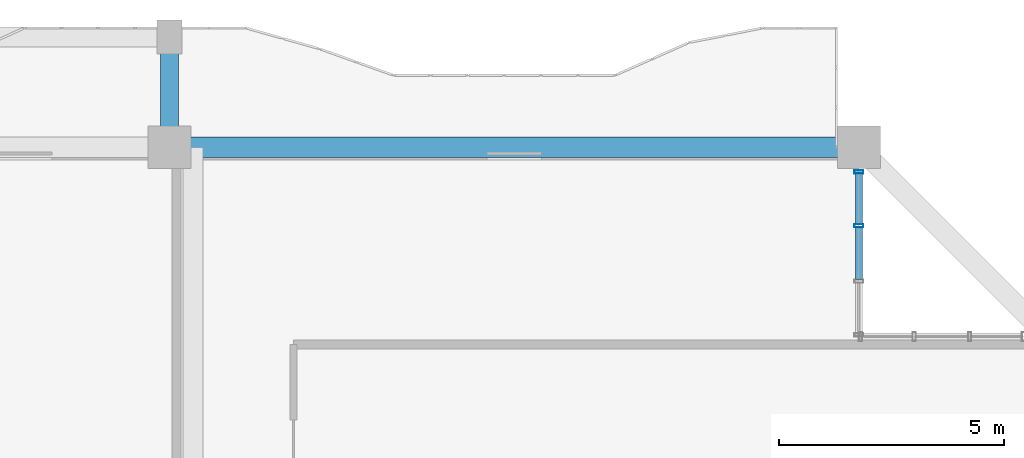
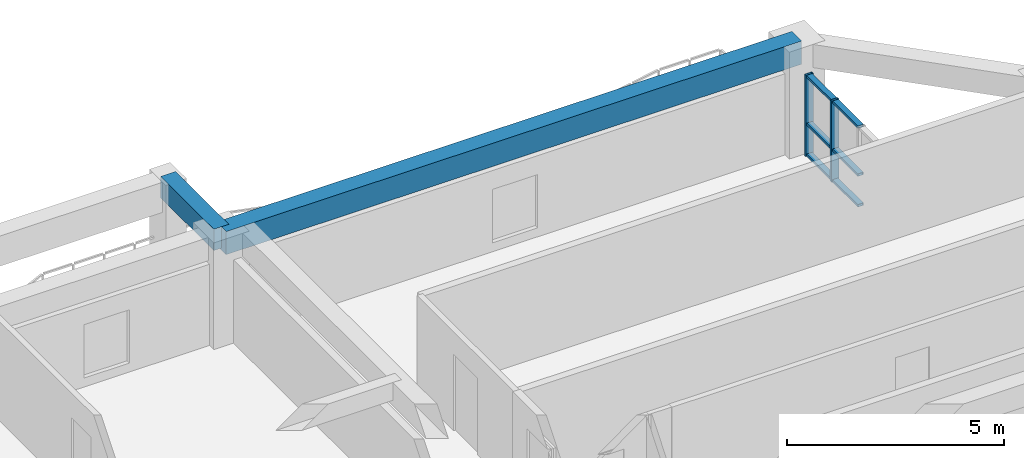
# One storey, part 11 of 24: 8 members, 2 beams, 1 element without a shape of its own.
"""IFC4 building model written with IfcOpenShell, lengths in metres."""

from ifc_helpers import new_model, si_unit, direction, frame, origin, origin_2d, place, context, subcontext, project, spatial, rectangle, hollow_rectangle, extrude, source, transform, mapped, material, layer, layer_set, material_profile, profile_set, type_object, element, aggregate, save


model = new_model("IFC4")

# Units and contexts
model_context = context("Model", 3, precision=1e-05, world=origin(), true_north=direction((0.0, 1.0)))
body_context = subcontext(model_context, "Body", "Model", "MODEL_VIEW")
ifc_project = project(units=[si_unit("LENGTHUNIT", "METRE"), si_unit("AREAUNIT", "SQUARE_METRE"), si_unit("VOLUMEUNIT", "CUBIC_METRE"), si_unit("PLANEANGLEUNIT", "RADIAN"), si_unit("MASSUNIT", "GRAM", prefix="KILO")], contexts=[model_context])

# Site, building, storey
site_placement = place(None, origin())
site = spatial("IfcSite", under=ifc_project, at=site_placement, CompositionType="ELEMENT")
building_placement = place(site_placement, origin())
building = spatial("IfcBuilding", under=site, at=building_placement, Name="Saelheon Loggia Tower", CompositionType="ELEMENT")
storey_placement = place(building_placement, frame((0.0, 0.0, 126.75)))
storey = spatial("IfcBuildingStorey", under=building, at=storey_placement, Name="L40", CompositionType="ELEMENT", Elevation=126.75)

# Beams
ifc_material_1 = material(Name="Precast Concrete C45/55", Category="concrete")
ifc_material_profile_1 = material_profile(ifc_material_1, rectangle(XDim=0.39990234375, YDim=0.60009765625, at=origin_2d()), Name="RC-400x600")
ifc_profile_set_1 = profile_set([ifc_material_profile_1], Name="Precast Concrete C45/55")
beam_type_1 = type_object("IfcBeamType", Name="Beam_LoggiaTie_RC400x600", PredefinedType="BEAM", material=ifc_profile_set_1)
shared_shape_1 = source(origin(), body_context, "Body", "SweptSolid", [
    extrude(rectangle(XDim=0.39990234375, YDim=0.60009765625, at=origin_2d()), origin(), (0.0, 0.0, 1.0), 2.449951171875),
])
beam_1_placement = place(storey_placement, frame((44.5, 51.0, 2.699951171875), z_axis=(0.0, 1.0, 0.0), x_axis=(-1.0, 0.0, 0.0)))
element("IfcBeam", 1, at=beam_1_placement, inside=storey, type_object=beam_type_1, Name="L40 Loggia Frame Tie Beam LP-N2", PredefinedType="BEAM", context=body_context, shape_type="MappedRepresentation", body=[
    mapped(shared_shape_1, transform((0.0, 0.0, 0.0), scale=1.0)),
])
ifc_material_2 = material(Name="Concrete C40/50", Category="concrete")
ifc_material_profile_2 = material_profile(ifc_material_2, rectangle(XDim=0.449951171875, YDim=0.64990234375, at=origin_2d()), Name="RC-450x650")
ifc_profile_set_2 = profile_set([ifc_material_profile_2], Name="Concrete C40/50")
beam_type_2 = type_object("IfcBeamType", Name="Beam_PerimTower_RC450x650", PredefinedType="BEAM", material=ifc_profile_set_2)
shared_shape_2 = source(origin(), body_context, "Body", "SweptSolid", [
    extrude(rectangle(XDim=0.449951171875, YDim=0.64990234375, at=origin_2d()), origin(), (0.0, 0.0, 1.0), 15.300048828125),
])
beam_2_placement = place(storey_placement, frame((59.800048828125, 51.0, 2.675048828125), z_axis=(-1.0, 0.0, 0.0), x_axis=(0.0, -1.0, 0.0)))
element("IfcBeam", 2, at=beam_2_placement, inside=storey, type_object=beam_type_2, Name="L40 Perimeter Frame Girder 09", PredefinedType="BEAM", context=body_context, shape_type="MappedRepresentation", body=[
    mapped(shared_shape_2, transform((0.0, 0.0, 0.0), scale=1.0)),
])

# Curtain wall, members
ifc_material_3 = material(Name="High-Wind Aluminium and Triple Laminated Glass", Category="aluminium")
ifc_layer = layer(ifc_material_3, 0.179931640625)
ifc_layer_set = layer_set([ifc_layer], Name="High-Wind Aluminium and Triple Laminated Glass")
curtain_wall_type = type_object("IfcCurtainWallType", Name="CW_TowerLoggiaHigh", PredefinedType="NOTDEFINED", material=ifc_layer_set)
curtain_wall_placement = place(storey_placement, origin())
curtain_wall = element("IfcCurtainWall", 3, at=curtain_wall_placement, inside=storey, type_object=curtain_wall_type, Name="L40 Corner Notch Glazing NE1", PredefinedType="NOTDEFINED")
ifc_material_4 = material(Name="Anodised Aluminium 6063-T6", Category="aluminium")
ifc_material_profile_3 = material_profile(ifc_material_4, hollow_rectangle(XDim=0.070068359375, YDim=0.199951171875, WallThickness=0.0048828125, at=origin_2d()), Name="RHS-200x70x5")
ifc_profile_set_3 = profile_set([ifc_material_profile_3], Name="Anodised Aluminium 6063-T6")
member_type_1 = type_object("IfcMemberType", Name="CW_TowerLoggiaHigh_Mullion", PredefinedType="MULLION", material=ifc_profile_set_3)
shared_shape_3 = source(origin(), body_context, "Body", "SweptSolid", [
    extrude(hollow_rectangle(XDim=0.070068359375, YDim=0.199951171875, WallThickness=0.0048828125, at=origin_2d()), origin(), (0.0, 0.0, 1.0), 2.280029296875),
])
member_1_placement = place(storey_placement, frame((59.800048828125, 49.256591796875, 0.0), z_axis=(0.0, 0.0, 1.0), x_axis=(0.0, 1.0, 0.0)))
member_1 = element("IfcMember", 4, at=member_1_placement, type_object=member_type_1, Name="CW4 mullion 3", PredefinedType="MULLION", context=body_context, shape_type="MappedRepresentation", body=[
    mapped(shared_shape_3, transform((0.0, 0.0, 0.0), scale=1.0)),
])
member_2_placement = place(storey_placement, frame((59.800048828125, 50.449951171875, 0.0), z_axis=(0.0, 0.0, 1.0), x_axis=(0.0, 1.0, 0.0)))
member_2 = element("IfcMember", 5, at=member_2_placement, type_object=member_type_1, Name="CW4 mullion 4", PredefinedType="MULLION", context=body_context, shape_type="MappedRepresentation", body=[
    mapped(shared_shape_3, transform((0.0, 0.0, 0.0), scale=1.0)),
])
ifc_material_profile_4 = material_profile(ifc_material_4, hollow_rectangle(XDim=0.070068359375, YDim=0.14990234375, WallThickness=0.0048828125, at=origin_2d()), Name="RHS-150x70x5")
ifc_profile_set_4 = profile_set([ifc_material_profile_4], Name="Anodised Aluminium 6063-T6")
member_type_2 = type_object("IfcMemberType", Name="CW_TowerLoggiaHigh_Transom", PredefinedType="USERDEFINED", material=ifc_profile_set_4)
shared_shape_4 = source(origin(), body_context, "Body", "SweptSolid", [
    extrude(hollow_rectangle(XDim=0.070068359375, YDim=0.14990234375, WallThickness=0.0048828125, at=origin_2d()), origin(), (0.0, 0.0, 1.0), 1.123291015625),
])
member_3_placement = place(storey_placement, frame((59.800048828125, 49.291748046875, 0.034912109375), z_axis=(0.0, 1.0, 0.0), x_axis=(0.0, 0.0, 1.0)))
member_3 = element("IfcMember", 6, at=member_3_placement, type_object=member_type_2, Name="CW4 transom 3.1", ObjectType="TRANSOM", PredefinedType="USERDEFINED", context=body_context, shape_type="MappedRepresentation", body=[
    mapped(shared_shape_4, transform((0.0, 0.0, 0.0), scale=1.0)),
])
member_4_placement = place(storey_placement, frame((59.800048828125, 49.291748046875, 0.89990234375), z_axis=(0.0, 1.0, 0.0), x_axis=(0.0, 0.0, 1.0)))
member_4 = element("IfcMember", 7, at=member_4_placement, type_object=member_type_2, Name="CW4 transom 3.2", ObjectType="TRANSOM", PredefinedType="USERDEFINED", context=body_context, shape_type="MappedRepresentation", body=[
    mapped(shared_shape_4, transform((0.0, 0.0, 0.0), scale=1.0)),
])
member_5_placement = place(storey_placement, frame((59.800048828125, 49.291748046875, 2.2451171875), z_axis=(0.0, 1.0, 0.0), x_axis=(0.0, 0.0, 1.0)))
member_5 = element("IfcMember", 8, at=member_5_placement, type_object=member_type_2, Name="CW4 transom 3.3", ObjectType="TRANSOM", PredefinedType="USERDEFINED", context=body_context, shape_type="MappedRepresentation", body=[
    mapped(shared_shape_4, transform((0.0, 0.0, 0.0), scale=1.0)),
])
shared_shape_5 = source(origin(), body_context, "Body", "SweptSolid", [
    extrude(hollow_rectangle(XDim=0.070068359375, YDim=0.14990234375, WallThickness=0.0048828125, at=origin_2d()), origin(), (0.0, 0.0, 1.0), 1.158447265625),
])
member_6_placement = place(storey_placement, frame((59.800048828125, 48.063232421875, 0.034912109375), z_axis=(0.0, 1.0, 0.0), x_axis=(0.0, 0.0, 1.0)))
member_6 = element("IfcMember", 9, at=member_6_placement, type_object=member_type_2, Name="CW4 transom 2.1", ObjectType="TRANSOM", PredefinedType="USERDEFINED", context=body_context, shape_type="MappedRepresentation", body=[
    mapped(shared_shape_5, transform((0.0, 0.0, 0.0), scale=1.0)),
])
member_7_placement = place(storey_placement, frame((59.800048828125, 48.063232421875, 0.89990234375), z_axis=(0.0, 1.0, 0.0), x_axis=(0.0, 0.0, 1.0)))
member_7 = element("IfcMember", 10, at=member_7_placement, type_object=member_type_2, Name="CW4 transom 2.2", ObjectType="TRANSOM", PredefinedType="USERDEFINED", context=body_context, shape_type="MappedRepresentation", body=[
    mapped(shared_shape_5, transform((0.0, 0.0, 0.0), scale=1.0)),
])
member_8_placement = place(storey_placement, frame((59.800048828125, 48.063232421875, 2.2451171875), z_axis=(0.0, 1.0, 0.0), x_axis=(0.0, 0.0, 1.0)))
member_8 = element("IfcMember", 11, at=member_8_placement, type_object=member_type_2, Name="CW4 transom 2.3", ObjectType="TRANSOM", PredefinedType="USERDEFINED", context=body_context, shape_type="MappedRepresentation", body=[
    mapped(shared_shape_5, transform((0.0, 0.0, 0.0), scale=1.0)),
])
aggregate(curtain_wall, [member_1, member_2, member_6, member_7, member_8, member_3, member_4, member_5])

save(model, "model.ifc")
